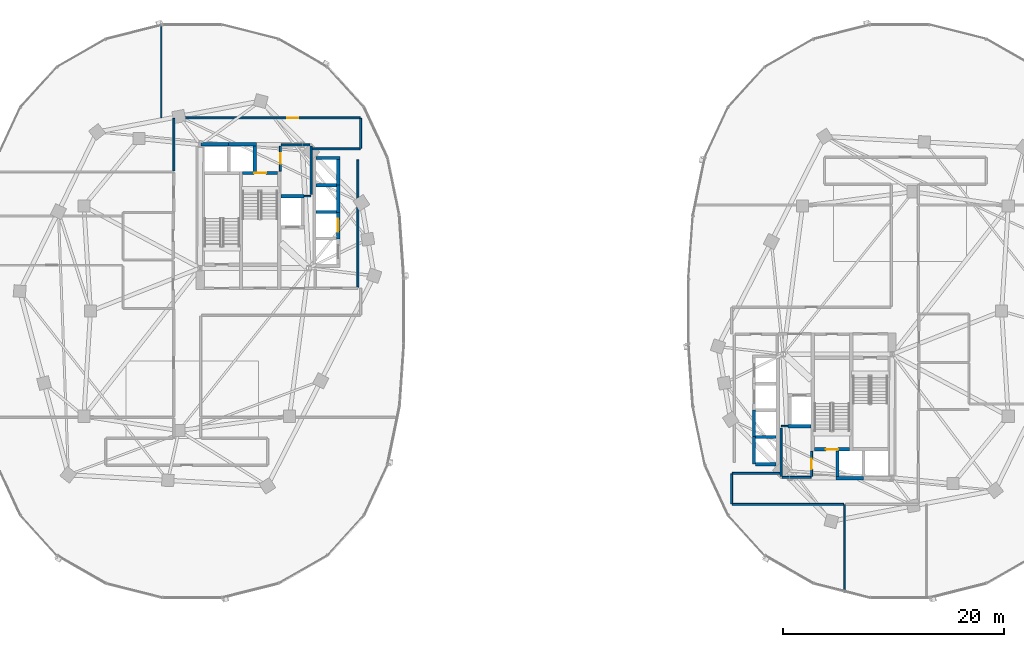
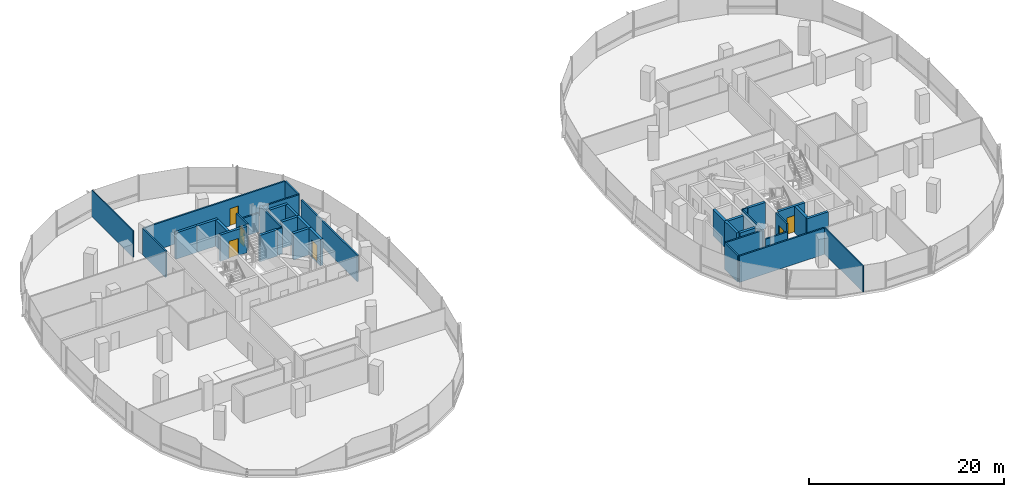
# One storey, part 12 of 21: 37 walls, 6 doors, 6 openings.
"""IFC4 building model written with IfcOpenShell, lengths in metres."""

import ifcopenshell
import ifcopenshell.guid

model = None  # the IFC model being written
_history = None  # IfcOwnerHistory: only IFC2X3 demands one
_inside = {}  # id of a spatial element -> (the spatial element, [elements in it])
_under = {}  # id of a project, library or spatial element -> (it, [spatial elements below it])
_declared = {}  # id of a project -> (the project, [libraries it declares])
_typed = {}  # id of a type object -> (the type object, [elements of that type])
_made_of = {}  # id of a material, layer set ... -> (it, [elements and type objects made of it])


def new_model(schema):
    """Start an empty IFC model of exactly this schema.

    Asked for "IFC4X3", IfcOpenShell would pick the latest addendum, in which some entities
    have other attributes; the version numbers below select the first issue.
    IFC2X3 requires an IfcOwnerHistory on every rooted entity: one is made here for all.
    """
    global model, _history
    if schema == "IFC4X3":
        model = ifcopenshell.file(schema_version=(4, 3, 0, 0))
    else:
        model = ifcopenshell.file(schema=schema)
    _inside.clear()
    _under.clear()
    _declared.clear()
    _typed.clear()
    _made_of.clear()
    _history = None
    if model.schema == "IFC2X3":
        org = make("IfcOrganization", Name="unknown")
        user = make(
            "IfcPersonAndOrganization",
            ThePerson=make("IfcPerson", FamilyName="unknown"),
            TheOrganization=org,
        )
        app = make(
            "IfcApplication",
            ApplicationDeveloper=org,
            Version="unknown",
            ApplicationFullName="unknown",
            ApplicationIdentifier="unknown",
        )
        _history = make(
            "IfcOwnerHistory",
            OwningUser=user,
            OwningApplication=app,
            ChangeAction="ADDED",
            CreationDate=0,
        )
    return model


def make(cls, **values):
    """One entity of the class cls with the attributes given. An attribute that is None is left unset."""
    return model.create_entity(
        cls, **{name: value for name, value in values.items() if value is not None}
    )


def rooted(cls, **values):
    """An entity with a GlobalId (a new one), such as an element, a storey or a relation."""
    return make(cls, GlobalId=ifcopenshell.guid.new(), OwnerHistory=_history, **values)


def si_unit(unit_type, name, prefix=None):
    """IfcSIUnit, for example si_unit("LENGTHUNIT", "METRE", prefix="MILLI")."""
    return make("IfcSIUnit", UnitType=unit_type, Prefix=prefix, Name=name)


def assignment(units):
    """IfcUnitAssignment: the units of a project."""
    return None if units is None else make("IfcUnitAssignment", Units=units)


def point(xyz):
    """IfcCartesianPoint."""
    return None if xyz is None else make("IfcCartesianPoint", Coordinates=xyz)


def direction(xyz):
    """IfcDirection."""
    return None if xyz is None else make("IfcDirection", DirectionRatios=xyz)


def frame(location, z_axis=None, x_axis=None):
    """IfcAxis2Placement3D, a coordinate frame: its origin and axes. An axis left out is left unset."""
    return make(
        "IfcAxis2Placement3D",
        Location=point(location),
        Axis=direction(z_axis),
        RefDirection=direction(x_axis),
    )


def frame_2d(location, x_axis=None):
    """IfcAxis2Placement2D, a coordinate frame in the plane: its origin and x axis."""
    return make(
        "IfcAxis2Placement2D", Location=point(location), RefDirection=direction(x_axis)
    )


def origin():
    """The frame at (0, 0, 0) with its axes left unset."""
    return frame((0.0, 0.0, 0.0))


def place(relative_to, where):
    """IfcLocalPlacement: puts the frame where relative to a parent placement (None: the world)."""
    return make(
        "IfcLocalPlacement", PlacementRelTo=relative_to, RelativePlacement=where
    )


def context(
    kind, dimensions, precision=None, world=None, true_north=None, identifier=None
):
    """IfcGeometricRepresentationContext, for example the 3D "Model" context."""
    return make(
        "IfcGeometricRepresentationContext",
        ContextIdentifier=identifier,
        ContextType=kind,
        CoordinateSpaceDimension=dimensions,
        Precision=precision,
        WorldCoordinateSystem=world,
        TrueNorth=true_north,
    )


def subcontext(parent, identifier, kind, view, scale=None):
    """IfcGeometricRepresentationSubContext, for example "Body" below "Model"."""
    return make(
        "IfcGeometricRepresentationSubContext",
        ContextIdentifier=identifier,
        ContextType=kind,
        ParentContext=parent,
        TargetScale=scale,
        TargetView=view,
    )


def project(units=None, contexts=None):
    """IfcProject with its units and contexts."""
    return rooted(
        "IfcProject",
        Name="project",
        RepresentationContexts=contexts,
        UnitsInContext=assignment(units),
    )


def spatial(cls, under=None, at=None, **own):
    """A site, building, storey or space (cls), placed at a placement, below another one or the project."""
    s = rooted(cls, ObjectPlacement=at, **own)
    if under is not None:
        _under.setdefault(under.id(), (under, []))[1].append(s)
    return s


def profile(cls, at=None, kind="AREA", **sizes):
    """A parametric profile (cls). Its sizes go by their IFC names, for example OverallWidth=200.0."""
    return make(cls, ProfileType=kind, Position=at, **sizes)


def rectangle(**sizes):
    """IfcRectangleProfileDef."""
    return profile("IfcRectangleProfileDef", **sizes)


def extrude(swept, where, along, depth):
    """IfcExtrudedAreaSolid: the profile swept, set in the frame where, extruded along a direction by depth."""
    return make(
        "IfcExtrudedAreaSolid",
        SweptArea=swept,
        Position=where,
        ExtrudedDirection=direction(along),
        Depth=depth,
    )


def shape(context_of_items, identifier, shape_type, items):
    """IfcShapeRepresentation: the items that make up one representation, for example the "Body"."""
    return make(
        "IfcShapeRepresentation",
        ContextOfItems=context_of_items,
        RepresentationIdentifier=identifier,
        RepresentationType=shape_type,
        Items=items,
    )


def material(Name=None, Category=None):
    """IfcMaterial."""
    return make("IfcMaterial", Name=Name, Category=Category)


def layer(
    of_material, thickness, ventilated=None, Name=None, Category=None, Priority=None
):
    """IfcMaterialLayer: one layer of a wall or slab, of a material (None: an air gap)."""
    return make(
        "IfcMaterialLayer",
        Material=of_material,
        LayerThickness=thickness,
        IsVentilated=ventilated,
        Name=Name,
        Category=Category,
        Priority=Priority,
    )


def layer_set(layers, Name=None):
    """IfcMaterialLayerSet."""
    return make("IfcMaterialLayerSet", MaterialLayers=layers, LayerSetName=Name)


def made_of(thing, what):
    """Note that an element or type object is made of a material, layer set ...; save() writes the relation."""
    if what is not None:
        _made_of.setdefault(what.id(), (what, []))[1].append(thing)
    return thing


def type_object(cls, material=None, **own):
    """A type object (cls), such as IfcWallType, which elements share."""
    return made_of(rooted(cls, **own), material)


def element(
    cls,
    number,
    at=None,
    inside=None,
    cuts=None,
    type_object=None,
    material=None,
    context=None,
    identifier="Body",
    shape_type=None,
    held_by="IfcProductDefinitionShape",
    body=None,
    shapes=None,
    **own,
):
    """One element of the class cls, such as IfcWall. Its Tag is "e" and its number.

    at: its placement. inside: the storey or other place that contains it. cuts: it is an
    opening in that element (IfcRelVoidsElement). A single representation is given by context,
    identifier, shape_type and body (its items); several are given by shapes. held_by: the class
    of the entity that holds the representations. save() writes the other relations.
    """
    e = rooted(cls, Tag="e%d" % number, ObjectPlacement=at, **own)
    if body is not None:
        shapes = [shape(context, identifier, shape_type, body)]
    if shapes is not None:
        e.Representation = make(held_by, Representations=shapes)
    if inside is not None:
        _inside.setdefault(inside.id(), (inside, []))[1].append(e)
    if cuts is not None:
        rooted(
            "IfcRelVoidsElement", RelatingBuildingElement=cuts, RelatedOpeningElement=e
        )
    if type_object is not None:
        _typed.setdefault(type_object.id(), (type_object, []))[1].append(e)
    return made_of(e, material)


def fill(opening, filler):
    """IfcRelFillsElement: the door or window that sits in an opening."""
    return rooted(
        "IfcRelFillsElement",
        RelatingOpeningElement=opening,
        RelatedBuildingElement=filler,
    )


def aggregate(whole, parts):
    """IfcRelAggregates: a whole, such as a stair, and the parts it consists of."""
    return rooted("IfcRelAggregates", RelatingObject=whole, RelatedObjects=parts)


def save(model, path):
    """Write the relations noted so far, then the file.

    IfcRelAggregates (storeys below a building ...), IfcRelContainedInSpatialStructure (elements
    in a storey), IfcRelDefinesByType, IfcRelAssociatesMaterial and IfcRelDeclares: one each for
    every whole, place, type object, material and project.
    """
    for whole, parts in _under.values():
        aggregate(whole, parts)
    for where, things in _inside.values():
        rooted(
            "IfcRelContainedInSpatialStructure",
            RelatedElements=things,
            RelatingStructure=where,
        )
    for kind, things in _typed.values():
        rooted("IfcRelDefinesByType", RelatedObjects=things, RelatingType=kind)
    for what, things in _made_of.values():
        rooted("IfcRelAssociatesMaterial", RelatedObjects=things, RelatingMaterial=what)
    for by, libraries in _declared.values():
        rooted("IfcRelDeclares", RelatingContext=by, RelatedDefinitions=libraries)
    model.write(path)


model = new_model("IFC4")

# Units and contexts
model_context = context("Model", 3, precision=1e-05, world=origin(), true_north=direction((0.0, 1.0)))
body_context = subcontext(model_context, "Body", "Model", "MODEL_VIEW")
ifc_project = project(units=[si_unit("LENGTHUNIT", "METRE"), si_unit("AREAUNIT", "SQUARE_METRE"), si_unit("VOLUMEUNIT", "CUBIC_METRE"), si_unit("PLANEANGLEUNIT", "RADIAN"), si_unit("MASSUNIT", "GRAM", prefix="KILO"), si_unit("THERMODYNAMICTEMPERATUREUNIT", "KELVIN"), si_unit("POWERUNIT", "WATT")], contexts=[model_context])

# Site, building, storey
site_placement = place(None, origin())
site = spatial("IfcSite", under=ifc_project, at=site_placement, CompositionType="ELEMENT")
building_placement = place(site_placement, origin())
building = spatial("IfcBuilding", under=site, at=building_placement, Name="Cundina Bronze Exchange", CompositionType="ELEMENT")
storey_placement = place(building_placement, frame((0.0, 0.0, 103.39990234375)))
storey = spatial("IfcBuildingStorey", under=building, at=storey_placement, Name="L26", CompositionType="ELEMENT", Elevation=103.39990234375)

# Walls
ifc_material_1 = material(Name="Gypsum Fireboard Partition EI120")
ifc_layer_1 = layer(ifc_material_1, 0.179931640625, Name="Gypsum Fireboard Partition EI120")
ifc_layer_set_1 = layer_set([ifc_layer_1], Name="Gypsum Fireboard Partition EI120")
wall_type_1 = type_object("IfcWallType", Name="WL-COR-180", PredefinedType="PARTITIONING", material=ifc_layer_set_1)
wall_1_placement = place(storey_placement, frame((-17.02001953125, 2.169921875, 0.0), z_axis=(0.0, 0.0, 1.0), x_axis=(0.0, 1.0, 0.0)))
element("IfcWall", 1, at=wall_1_placement, inside=storey, type_object=wall_type_1, Name="L26 Interior Partition 001", PredefinedType="PARTITIONING", context=body_context, shape_type="SweptSolid", body=[
    extrude(rectangle(XDim=11.510009765625, YDim=0.179931640625, at=frame_2d((5.7548828125, 0.0))), origin(), (0.0, 0.0, 1.0), 3.300048828125),
])
wall_2_placement = place(storey_placement, frame((-21.25, 10.570068359375, 0.0), z_axis=(0.0, 0.0, 1.0), x_axis=(0.0, 1.0, 0.0)))
element("IfcWall", 2, at=wall_2_placement, inside=storey, type_object=wall_type_1, Name="L26 Interior Partition 004", PredefinedType="PARTITIONING", context=body_context, shape_type="SweptSolid", body=[
    extrude(rectangle(XDim=4.35986328125, YDim=0.179931640625, at=frame_2d((2.179931640625, 0.0))), origin(), (0.0, 0.0, 1.0), 3.300048828125),
])
wall_3_placement = place(storey_placement, frame((-23.9599609375, 15.030029296875, 0.0), z_axis=(0.0, 0.0, 1.0), x_axis=(1.0, 0.0, 0.0)))
element("IfcWall", 3, at=wall_3_placement, inside=storey, type_object=wall_type_1, Name="L26 Interior Partition 005", PredefinedType="PARTITIONING", context=body_context, shape_type="SweptSolid", body=[
    extrude(rectangle(XDim=2.60986328125, YDim=0.179931640625, at=frame_2d((1.304931640625, 0.0))), origin(), (0.0, 0.0, 1.0), 2.373046875),
])

# Wall, opening, door
wall_4_placement = place(storey_placement, frame((-24.02001953125, 12.669921875, 0.0), z_axis=(0.0, 0.0, 1.0), x_axis=(0.0, 1.0, 0.0)))
wall_4 = element("IfcWall", 4, at=wall_4_placement, inside=storey, type_object=wall_type_1, Name="L26 Interior Partition 007", PredefinedType="PARTITIONING", context=body_context, shape_type="SweptSolid", body=[
    extrude(rectangle(XDim=2.260009765625, YDim=0.179931640625, at=frame_2d((1.1298828125, 0.0))), origin(), (0.0, 0.0, 1.0), 3.300048828125),
])
opening_1_placement = place(wall_4_placement, frame((0.655029296875, 0.0, 0.0)))
opening_1 = element("IfcOpeningElement", 5, at=opening_1_placement, cuts=wall_4, Name="Opening DW-01", PredefinedType="OPENING", context=body_context, shape_type="SweptSolid", body=[
    extrude(rectangle(XDim=0.949951171875, YDim=2.10009765625, at=frame_2d((0.47509765625, 1.050048828125))), frame((0.0, 0.099853515625, 0.0), z_axis=(0.0, -1.0, 0.0), x_axis=(1.0, 0.0, 0.0)), (0.0, 0.0, 1.0), 0.199951171875),
])
ifc_material_2 = material(Name="Solid Andean Oak Timber Grade A", Category="wood")
door_type_1 = type_object("IfcDoorType", Name="DR-WC-950", OperationType="NOTDEFINED", PredefinedType="DOOR", material=ifc_material_2)
door_1_placement = place(opening_1_placement, origin())
door_1 = element("IfcDoor", 6, at=door_1_placement, inside=storey, type_object=door_type_1, Name="L26 Interior Door 007", OperationType="SINGLE_SWING_RIGHT", OverallHeight=2.10009765625, OverallWidth=0.949951171875, PredefinedType="DOOR", context=body_context, shape_type="SweptSolid", body=[
    extrude(rectangle(XDim=0.949951171875, YDim=2.10009765625, at=frame_2d((0.47509765625, 1.050048828125))), frame((0.0, 0.02490234375, 0.0), z_axis=(0.0, -1.0, 0.0), x_axis=(1.0, 0.0, 0.0)), (0.0, 0.0, 1.0), 0.050048828125),
])
fill(opening_1, door_1)

wall_5_placement = place(storey_placement, frame((-16.821533203125, 17.469970703125, 0.0), z_axis=(0.0, 0.0, 1.0), x_axis=(-1.0, 0.0, 0.0)))
wall_5 = element("IfcWall", 7, at=wall_5_placement, inside=storey, type_object=wall_type_1, Name="L26 Interior Partition 028", PredefinedType="PARTITIONING", context=body_context, shape_type="SweptSolid", body=[
    extrude(rectangle(XDim=16.806884765625, YDim=0.179931640625, at=frame_2d((8.4033203125, 0.0))), origin(), (0.0, 0.0, 1.0), 3.300048828125),
])
opening_2_placement = place(wall_5_placement, frame((5.568603515625, 0.0, 0.0)))
opening_2 = element("IfcOpeningElement", 8, at=opening_2_placement, cuts=wall_5, Name="Opening DO-01", PredefinedType="OPENING", context=body_context, shape_type="SweptSolid", body=[
    extrude(rectangle(XDim=1.0, YDim=2.14990234375, at=frame_2d((0.5, 1.074951171875))), frame((0.0, 0.099853515625, 0.0), z_axis=(0.0, -1.0, 0.0), x_axis=(1.0, 0.0, 0.0)), (0.0, 0.0, 1.0), 0.199951171875),
])
door_type_2 = type_object("IfcDoorType", Name="DR-OFF-1000", OperationType="NOTDEFINED", PredefinedType="DOOR", material=ifc_material_2)
door_2_placement = place(opening_2_placement, origin())
door_2 = element("IfcDoor", 9, at=door_2_placement, inside=storey, type_object=door_type_2, Name="L26 Interior Door 028", OperationType="SINGLE_SWING_LEFT", OverallHeight=2.14990234375, OverallWidth=1.0, PredefinedType="DOOR", context=body_context, shape_type="SweptSolid", body=[
    extrude(rectangle(XDim=1.0, YDim=2.14990234375, at=frame_2d((0.5, 1.074951171875))), frame((0.0, 0.02490234375, 0.0), z_axis=(0.0, -1.0, 0.0), x_axis=(1.0, 0.0, 0.0)), (0.0, 0.0, 1.0), 0.050048828125),
])
fill(opening_2, door_2)

# Walls
wall_6_placement = place(storey_placement, frame((-33.669921875, 17.428466796875, 0.0), z_axis=(0.0, 0.0, 1.0), x_axis=(0.0, -1.0, 0.0)))
element("IfcWall", 10, at=wall_6_placement, inside=storey, type_object=wall_type_1, Name="L26 Interior Partition 031", PredefinedType="PARTITIONING", context=body_context, shape_type="SweptSolid", body=[
    extrude(rectangle(XDim=4.738525390625, YDim=0.179931640625, at=frame_2d((2.369140625, 0.0))), origin(), (0.0, 0.0, 1.0), 3.300048828125),
])
wall_7_placement = place(storey_placement, frame((-21.178466796875, 14.679931640625, 0.0), z_axis=(0.0, 0.0, 1.0), x_axis=(1.0, 0.0, 0.0)))
element("IfcWall", 11, at=wall_7_placement, inside=storey, type_object=wall_type_1, Name="L26 Interior Partition 032", PredefinedType="PARTITIONING", context=body_context, shape_type="SweptSolid", body=[
    extrude(rectangle(XDim=4.35693359375, YDim=0.179931640625, at=frame_2d((2.178466796875, 0.0))), origin(), (0.0, 0.0, 1.0), 3.300048828125),
])
wall_8_placement = place(storey_placement, frame((-16.780029296875, 14.721435546875, 0.0), z_axis=(0.0, 0.0, 1.0), x_axis=(0.0, 1.0, 0.0)))
element("IfcWall", 12, at=wall_8_placement, inside=storey, type_object=wall_type_1, Name="L26 Interior Partition 033", PredefinedType="PARTITIONING", context=body_context, shape_type="SweptSolid", body=[
    extrude(rectangle(XDim=2.70703125, YDim=0.179931640625, at=frame_2d((1.353515625, 0.0))), origin(), (0.0, 0.0, 1.0), 3.300048828125),
])
wall_9_placement = place(storey_placement, frame((21.25, -14.929931640625, 0.0), z_axis=(0.0, 0.0, 1.0), x_axis=(0.0, 1.0, 0.0)))
element("IfcWall", 13, at=wall_9_placement, inside=storey, type_object=wall_type_1, Name="L26 Interior Partition 040", PredefinedType="PARTITIONING", context=body_context, shape_type="SweptSolid", body=[
    extrude(rectangle(XDim=4.35986328125, YDim=0.179931640625, at=frame_2d((2.179931640625, 0.0))), origin(), (0.0, 0.0, 1.0), 3.300048828125),
])
wall_10_placement = place(storey_placement, frame((21.35009765625, -15.030029296875, 0.0), z_axis=(0.0, 0.0, 1.0), x_axis=(1.0, 0.0, 0.0)))
element("IfcWall", 14, at=wall_10_placement, inside=storey, type_object=wall_type_1, Name="L26 Interior Partition 041", PredefinedType="PARTITIONING", context=body_context, shape_type="SweptSolid", body=[
    extrude(rectangle(XDim=2.60986328125, YDim=0.179931640625, at=frame_2d((1.304931640625, 0.0))), origin(), (0.0, 0.0, 1.0), 2.373046875),
])

# Wall, opening, door
wall_11_placement = place(storey_placement, frame((24.02001953125, -14.929931640625, 0.0), z_axis=(0.0, 0.0, 1.0), x_axis=(0.0, 1.0, 0.0)))
wall_11 = element("IfcWall", 15, at=wall_11_placement, inside=storey, type_object=wall_type_1, Name="L26 Interior Partition 043", PredefinedType="PARTITIONING", context=body_context, shape_type="SweptSolid", body=[
    extrude(rectangle(XDim=2.260009765625, YDim=0.179931640625, at=frame_2d((1.1298828125, 0.0))), origin(), (0.0, 0.0, 1.0), 3.300048828125),
])
opening_3_placement = place(wall_11_placement, frame((0.655029296875, 0.0, 0.0)))
opening_3 = element("IfcOpeningElement", 16, at=opening_3_placement, cuts=wall_11, Name="Opening DW-01", PredefinedType="OPENING", context=body_context, shape_type="SweptSolid", body=[
    extrude(rectangle(XDim=0.949951171875, YDim=2.10009765625, at=frame_2d((0.47509765625, 1.050048828125))), frame((0.0, 0.099853515625, 0.0), z_axis=(0.0, -1.0, 0.0), x_axis=(1.0, 0.0, 0.0)), (0.0, 0.0, 1.0), 0.199951171875),
])
door_3_placement = place(opening_3_placement, origin())
door_3 = element("IfcDoor", 17, at=door_3_placement, inside=storey, type_object=door_type_1, Name="L26 Interior Door 043", OperationType="SINGLE_SWING_LEFT", OverallHeight=2.10009765625, OverallWidth=0.949951171875, PredefinedType="DOOR", context=body_context, shape_type="SweptSolid", body=[
    extrude(rectangle(XDim=0.949951171875, YDim=2.10009765625, at=frame_2d((0.47509765625, 1.050048828125))), frame((0.0, 0.02490234375, 0.0), z_axis=(0.0, -1.0, 0.0), x_axis=(1.0, 0.0, 0.0)), (0.0, 0.0, 1.0), 0.050048828125),
])
fill(opening_3, door_3)

# Walls
wall_12_placement = place(storey_placement, frame((16.821533203125, -17.469970703125, 0.0), z_axis=(0.0, 0.0, 1.0), x_axis=(1.0, 0.0, 0.0)))
element("IfcWall", 18, at=wall_12_placement, inside=storey, type_object=wall_type_1, Name="L26 Interior Partition 059", PredefinedType="PARTITIONING", context=body_context, shape_type="SweptSolid", body=[
    extrude(rectangle(XDim=10.08837890625, YDim=0.179931640625, at=frame_2d((5.044189453125, 0.0))), origin(), (0.0, 0.0, 1.0), 3.300048828125),
])
wall_13_placement = place(storey_placement, frame((21.178466796875, -14.679931640625, 0.0), z_axis=(0.0, 0.0, 1.0), x_axis=(-1.0, 0.0, 0.0)))
element("IfcWall", 19, at=wall_13_placement, inside=storey, type_object=wall_type_1, Name="L26 Interior Partition 061", PredefinedType="PARTITIONING", context=body_context, shape_type="SweptSolid", body=[
    extrude(rectangle(XDim=4.35693359375, YDim=0.179931640625, at=frame_2d((2.178466796875, 0.0))), origin(), (0.0, 0.0, 1.0), 3.300048828125),
])
wall_14_placement = place(storey_placement, frame((16.780029296875, -14.721435546875, 0.0), z_axis=(0.0, 0.0, 1.0), x_axis=(0.0, -1.0, 0.0)))
element("IfcWall", 20, at=wall_14_placement, inside=storey, type_object=wall_type_1, Name="L26 Interior Partition 062", PredefinedType="PARTITIONING", context=body_context, shape_type="SweptSolid", body=[
    extrude(rectangle(XDim=2.70703125, YDim=0.179931640625, at=frame_2d((1.353515625, 0.0))), origin(), (0.0, 0.0, 1.0), 3.300048828125),
])
ifc_material_3 = material(Name="Gypsum Acoustic Partition EI60")
ifc_layer_2 = layer(ifc_material_3, 0.125, Name="Gypsum Acoustic Partition EI60")
ifc_layer_set_2 = layer_set([ifc_layer_2], Name="Gypsum Acoustic Partition EI60")
wall_type_2 = type_object("IfcWallType", Name="WL-OFF-125", PredefinedType="PARTITIONING", material=ifc_layer_set_2)
wall_15_placement = place(storey_placement, frame((-34.800048828125, 17.469970703125, 0.0), z_axis=(0.0, 0.0, 1.0), x_axis=(0.0, 1.0, 0.0)))
element("IfcWall", 21, at=wall_15_placement, inside=storey, type_object=wall_type_2, Name="L26 Interior Partition 019", PredefinedType="PARTITIONING", context=body_context, shape_type="SweptSolid", body=[
    extrude(rectangle(XDim=8.490478515625, YDim=0.125, at=frame_2d((4.2451171875, 0.0))), origin(), (0.0, 0.0, 1.0), 3.300048828125),
])
wall_16_placement = place(storey_placement, frame((27.0, -25.404296875, 0.0), z_axis=(0.0, 0.0, 1.0), x_axis=(0.0, 1.0, 0.0)))
element("IfcWall", 22, at=wall_16_placement, inside=storey, type_object=wall_type_2, Name="L26 Interior Partition 054", PredefinedType="PARTITIONING", context=body_context, shape_type="SweptSolid", body=[
    extrude(rectangle(XDim=7.904296875, YDim=0.125, at=frame_2d((3.9521484375, 0.0))), origin(), (0.0, 0.0, 1.0), 3.300048828125),
])

# Wall, opening, door
ifc_material_4 = material(Name="Concrete C50/60", Category="concrete")
ifc_layer_3 = layer(ifc_material_4, 0.300048828125, Name="Concrete C50/60", Category="concrete")
ifc_layer_set_3 = layer_set([ifc_layer_3], Name="Concrete C50/60")
wall_type_3 = type_object("IfcWallType", Name="WL-SHFT-300", PredefinedType="SHEAR", material=ifc_layer_set_3)
wall_17_placement = place(storey_placement, frame((-27.43994140625, 12.5, 0.0), z_axis=(0.0, 0.0, 1.0), x_axis=(1.0, 0.0, 0.0)))
wall_17 = element("IfcWall", 23, at=wall_17_placement, inside=storey, type_object=wall_type_3, Name="L26 Stair W2 Landing Wall", PredefinedType="SHEAR", context=body_context, shape_type="SweptSolid", body=[
    extrude(rectangle(XDim=3.159912109375, YDim=0.300048828125, at=frame_2d((1.580078125, 0.0))), origin(), (0.0, 0.0, 1.0), 3.300048828125),
])
opening_4_placement = place(wall_17_placement, frame((1.030029296875, 0.0, 0.0)))
opening_4 = element("IfcOpeningElement", 24, at=opening_4_placement, cuts=wall_17, Name="Opening DS-01", PredefinedType="OPENING", context=body_context, shape_type="SweptSolid", body=[
    extrude(rectangle(XDim=1.10009765625, YDim=2.14990234375, at=frame_2d((0.550048828125, 1.074951171875))), frame((0.0, 0.159912109375, 0.0), z_axis=(0.0, -1.0, 0.0), x_axis=(1.0, 0.0, 0.0)), (0.0, 0.0, 1.0), 0.320068359375),
])
ifc_material_5 = material(Name="Steel ASTM A36 Painted", Category="steel")
door_type_3 = type_object("IfcDoorType", Name="DR-STR-1100", OperationType="NOTDEFINED", PredefinedType="DOOR", material=ifc_material_5)
door_4_placement = place(opening_4_placement, origin())
door_4 = element("IfcDoor", 25, at=door_4_placement, inside=storey, type_object=door_type_3, Name="L26 Smokeproof Stair W2 Door", OperationType="SINGLE_SWING_LEFT", OverallHeight=2.14990234375, OverallWidth=1.10009765625, PredefinedType="DOOR", context=body_context, shape_type="SweptSolid", body=[
    extrude(rectangle(XDim=1.10009765625, YDim=2.14990234375, at=frame_2d((0.550048828125, 1.074951171875))), frame((0.0, 0.02490234375, 0.0), z_axis=(0.0, -1.0, 0.0), x_axis=(1.0, 0.0, 0.0)), (0.0, 0.0, 1.0), 0.050048828125),
])
fill(opening_4, door_4)

# Walls
wall_18_placement = place(storey_placement, frame((-23.97998046875, 10.39990234375, 0.0), z_axis=(0.0, 0.0, 1.0), x_axis=(1.0, 0.0, 0.0)))
element("IfcWall", 26, at=wall_18_placement, inside=storey, type_object=wall_type_3, Name="L26 FFL-W Hoistway Back Wall", PredefinedType="SHEAR", context=body_context, shape_type="SweptSolid", body=[
    extrude(rectangle(XDim=2.10009765625, YDim=0.300048828125, at=frame_2d((1.050048828125, 0.0))), origin(), (0.0, 0.0, 1.0), 3.300048828125),
])
for number, where, z_axis, x_axis, name in (
    (27, (-31.199951171875, 15.10009765625, 0.0), (0.0, 0.0, 1.0), (1.0, 0.0, 0.0), "L26 PH-W1 Hoistway Front Wall"),
    (28, (-28.699951171875, 15.10009765625, 0.0), (0.0, 0.0, 1.0), (1.0, 0.0, 0.0), "L26 PH-W2 Hoistway Front Wall"),
):
    element("IfcWall", number, at=place(storey_placement, frame(where, z_axis=z_axis, x_axis=x_axis)), inside=storey, type_object=wall_type_3, Name=name, PredefinedType="SHEAR", context=body_context, shape_type="SweptSolid", body=[
        extrude(rectangle(XDim=2.5, YDim=0.300048828125, at=frame_2d((1.25, 0.0))), origin(), (0.0, 0.0, 1.0), 3.300048828125),
    ])
wall_19_placement = place(storey_placement, frame((-26.35009765625, 12.64990234375, 0.0), z_axis=(0.0, 0.0, 1.0), x_axis=(0.0, 1.0, 0.0)))
element("IfcWall", 29, at=wall_19_placement, inside=storey, type_object=wall_type_3, Name="L26 PH-W2 Hoistway Divider Wall", PredefinedType="SHEAR", context=body_context, shape_type="SweptSolid", body=[
    extrude(rectangle(XDim=2.300048828125, YDim=0.300048828125, at=frame_2d((1.14990234375, 0.0))), origin(), (0.0, 0.0, 1.0), 3.300048828125),
])
wall_20_placement = place(storey_placement, frame((-20.800048828125, 13.85009765625, 0.0), z_axis=(0.0, 0.0, 1.0), x_axis=(1.0, 0.0, 0.0)))
element("IfcWall", 30, at=wall_20_placement, inside=storey, type_object=wall_type_3, Name="L26 W Passenger Bank North Cap Wall", PredefinedType="SHEAR", context=body_context, shape_type="SweptSolid", body=[
    extrude(rectangle(XDim=2.150146484375, YDim=0.300048828125, at=frame_2d((1.0751953125, 0.0))), origin(), (0.0, 0.0, 1.0), 3.300048828125),
])
for number, where, z_axis, x_axis, name in (
    (31, (-20.800048828125, 8.97509765625, 0.0), (0.0, 0.0, 1.0), (1.0, 0.0, 0.0), "L26 W Passenger Hoistway Divider 2"),
    (32, (-20.800048828125, 11.375, 0.0), (0.0, 0.0, 1.0), (1.0, 0.0, 0.0), "L26 W Passenger Hoistway Divider 3"),
):
    element("IfcWall", number, at=place(storey_placement, frame(where, z_axis=z_axis, x_axis=x_axis)), inside=storey, type_object=wall_type_3, Name=name, PredefinedType="SHEAR", context=body_context, shape_type="SweptSolid", body=[
        extrude(rectangle(XDim=1.85009765625, YDim=0.300048828125, at=frame_2d((0.925048828125, 0.0))), origin(), (0.0, 0.0, 1.0), 3.300048828125),
    ])

# Wall, opening, door
wall_21_placement = place(storey_placement, frame((-18.800048828125, 6.530029296875, 0.0), z_axis=(0.0, 0.0, 1.0), x_axis=(0.0, 1.0, 0.0)))
wall_21 = element("IfcWall", 33, at=wall_21_placement, inside=storey, type_object=wall_type_3, Name="L26 PL-W1 Hoistway Front Wall", PredefinedType="SHEAR", context=body_context, shape_type="SweptSolid", body=[
    extrude(rectangle(XDim=2.489990234375, YDim=0.300048828125, at=frame_2d((1.2451171875, 0.0))), origin(), (0.0, 0.0, 1.0), 3.300048828125),
])
opening_5_placement = place(wall_21_placement, frame((0.669921875, 0.0, 0.0)))
opening_5 = element("IfcOpeningElement", 34, at=opening_5_placement, cuts=wall_21, Name="Opening LD-01", PredefinedType="OPENING", context=body_context, shape_type="SweptSolid", body=[
    extrude(rectangle(XDim=1.14990234375, YDim=2.199951171875, at=frame_2d((0.574951171875, 1.10009765625))), frame((0.0, 0.159912109375, 0.0), z_axis=(0.0, -1.0, 0.0), x_axis=(1.0, 0.0, 0.0)), (0.0, 0.0, 1.0), 0.320068359375),
])
door_type_4 = type_object("IfcDoorType", Name="DR-LND-1150", OperationType="NOTDEFINED", PredefinedType="TRAPDOOR", material=ifc_material_5)
door_5_placement = place(opening_5_placement, origin())
door_5 = element("IfcDoor", 35, at=door_5_placement, inside=storey, type_object=door_type_4, Name="L26 PL-W1 Sliding Landing Door", OperationType="SLIDING_TO_LEFT", OverallHeight=2.199951171875, OverallWidth=1.14990234375, PredefinedType="TRAPDOOR", context=body_context, shape_type="SweptSolid", body=[
    extrude(rectangle(XDim=1.14990234375, YDim=2.199951171875, at=frame_2d((0.574951171875, 1.10009765625))), frame((0.0, 0.02490234375, 0.0), z_axis=(0.0, -1.0, 0.0), x_axis=(1.0, 0.0, 0.0)), (0.0, 0.0, 1.0), 0.050048828125),
])
fill(opening_5, door_5)

# Walls
for number, where, z_axis, x_axis, name in (
    (36, (-18.800048828125, 8.929931640625, 0.0), (0.0, 0.0, 1.0), (0.0, 1.0, 0.0), "L26 PM-W2 Hoistway Front Wall"),
    (37, (-18.800048828125, 11.330078125, 0.0), (0.0, 0.0, 1.0), (0.0, 1.0, 0.0), "L26 PM-W1 Hoistway Front Wall"),
):
    element("IfcWall", number, at=place(storey_placement, frame(where, z_axis=z_axis, x_axis=x_axis)), inside=storey, type_object=wall_type_3, Name=name, PredefinedType="SHEAR", context=body_context, shape_type="SweptSolid", body=[
        extrude(rectangle(XDim=2.489990234375, YDim=0.300048828125, at=frame_2d((1.2451171875, 0.0))), origin(), (0.0, 0.0, 1.0), 3.300048828125),
    ])

# Wall, opening, door
wall_22_placement = place(storey_placement, frame((24.280029296875, -12.5, 0.0), z_axis=(0.0, 0.0, 1.0), x_axis=(1.0, 0.0, 0.0)))
wall_22 = element("IfcWall", 38, at=wall_22_placement, inside=storey, type_object=wall_type_3, Name="L26 Stair E2 Landing Wall", PredefinedType="SHEAR", context=body_context, shape_type="SweptSolid", body=[
    extrude(rectangle(XDim=3.159912109375, YDim=0.300048828125, at=frame_2d((1.580078125, 0.0))), origin(), (0.0, 0.0, 1.0), 3.300048828125),
])
opening_6_placement = place(wall_22_placement, frame((1.030029296875, 0.0, 0.0)))
opening_6 = element("IfcOpeningElement", 39, at=opening_6_placement, cuts=wall_22, Name="Opening DS-01", PredefinedType="OPENING", context=body_context, shape_type="SweptSolid", body=[
    extrude(rectangle(XDim=1.10009765625, YDim=2.14990234375, at=frame_2d((0.550048828125, 1.074951171875))), frame((0.0, 0.159912109375, 0.0), z_axis=(0.0, -1.0, 0.0), x_axis=(1.0, 0.0, 0.0)), (0.0, 0.0, 1.0), 0.320068359375),
])
door_6_placement = place(opening_6_placement, origin())
door_6 = element("IfcDoor", 40, at=door_6_placement, inside=storey, type_object=door_type_3, Name="L26 Smokeproof Stair E2 Door", OperationType="SINGLE_SWING_RIGHT", OverallHeight=2.14990234375, OverallWidth=1.10009765625, PredefinedType="DOOR", context=body_context, shape_type="SweptSolid", body=[
    extrude(rectangle(XDim=1.10009765625, YDim=2.14990234375, at=frame_2d((0.550048828125, 1.074951171875))), frame((0.0, 0.02490234375, 0.0), z_axis=(0.0, -1.0, 0.0), x_axis=(1.0, 0.0, 0.0)), (0.0, 0.0, 1.0), 0.050048828125),
])
fill(opening_6, door_6)

# Walls
wall_23_placement = place(storey_placement, frame((21.8798828125, -10.39990234375, 0.0), z_axis=(0.0, 0.0, 1.0), x_axis=(1.0, 0.0, 0.0)))
element("IfcWall", 41, at=wall_23_placement, inside=storey, type_object=wall_type_3, Name="L26 FFL-E Hoistway Back Wall", PredefinedType="SHEAR", context=body_context, shape_type="SweptSolid", body=[
    extrude(rectangle(XDim=2.10009765625, YDim=0.300048828125, at=frame_2d((1.050048828125, 0.0))), origin(), (0.0, 0.0, 1.0), 3.300048828125),
])
wall_24_placement = place(storey_placement, frame((26.199951171875, -15.10009765625, 0.0), z_axis=(0.0, 0.0, 1.0), x_axis=(1.0, 0.0, 0.0)))
element("IfcWall", 42, at=wall_24_placement, inside=storey, type_object=wall_type_3, Name="L26 PH-E2 Hoistway Front Wall", PredefinedType="SHEAR", context=body_context, shape_type="SweptSolid", body=[
    extrude(rectangle(XDim=2.5, YDim=0.300048828125, at=frame_2d((1.25, 0.0))), origin(), (0.0, 0.0, 1.0), 3.300048828125),
])
wall_25_placement = place(storey_placement, frame((26.35009765625, -14.949951171875, 0.0), z_axis=(0.0, 0.0, 1.0), x_axis=(0.0, 1.0, 0.0)))
element("IfcWall", 43, at=wall_25_placement, inside=storey, type_object=wall_type_3, Name="L26 PH-E2 Hoistway Divider Wall", PredefinedType="SHEAR", context=body_context, shape_type="SweptSolid", body=[
    extrude(rectangle(XDim=2.300048828125, YDim=0.300048828125, at=frame_2d((1.14990234375, 0.0))), origin(), (0.0, 0.0, 1.0), 3.300048828125),
])
for number, where, z_axis, x_axis, name in (
    (44, (18.949951171875, -13.85009765625, 0.0), (0.0, 0.0, 1.0), (1.0, 0.0, 0.0), "L26 E Passenger Bank South Cap Wall"),
    (45, (18.949951171875, -11.375, 0.0), (0.0, 0.0, 1.0), (1.0, 0.0, 0.0), "L26 E Passenger Hoistway Divider 1"),
):
    element("IfcWall", number, at=place(storey_placement, frame(where, z_axis=z_axis, x_axis=x_axis)), inside=storey, type_object=wall_type_3, Name=name, PredefinedType="SHEAR", context=body_context, shape_type="SweptSolid", body=[
        extrude(rectangle(XDim=1.85009765625, YDim=0.300048828125, at=frame_2d((0.925048828125, 0.0))), origin(), (0.0, 0.0, 1.0), 3.300048828125),
    ])
for number, where, z_axis, x_axis, name in (
    (46, (18.800048828125, -13.820068359375, 0.0), (0.0, 0.0, 1.0), (0.0, 1.0, 0.0), "L26 PM-E1 Hoistway Front Wall"),
    (47, (18.800048828125, -11.419921875, 0.0), (0.0, 0.0, 1.0), (0.0, 1.0, 0.0), "L26 PM-E2 Hoistway Front Wall"),
):
    element("IfcWall", number, at=place(storey_placement, frame(where, z_axis=z_axis, x_axis=x_axis)), inside=storey, type_object=wall_type_3, Name=name, PredefinedType="SHEAR", context=body_context, shape_type="SweptSolid", body=[
        extrude(rectangle(XDim=2.489990234375, YDim=0.300048828125, at=frame_2d((1.2451171875, 0.0))), origin(), (0.0, 0.0, 1.0), 3.300048828125),
    ])
ifc_material_6 = material(Name="Moisture-Resistant Masonry Block Grade M15", Category="masonry")
ifc_layer_4 = layer(ifc_material_6, 0.139892578125, Name="Moisture-Resistant Masonry Block Grade M15", Category="masonry")
ifc_layer_set_4 = layer_set([ifc_layer_4], Name="Moisture-Resistant Masonry Block Grade M15")
wall_type_4 = type_object("IfcWallType", Name="WL-WET-140", PredefinedType="PARTITIONING", material=ifc_layer_set_4)
for number, where, z_axis, x_axis, name in (
    (48, (-21.860107421875, 10.39990234375, 0.0), (0.0, 0.0, 1.0), (1.0, 0.0, 0.0), "L26 Interior Partition 003"),
    (49, (21.27001953125, -10.39990234375, 0.0), (0.0, 0.0, 1.0), (1.0, 0.0, 0.0), "L26 Interior Partition 039"),
):
    element("IfcWall", number, at=place(storey_placement, frame(where, z_axis=z_axis, x_axis=x_axis)), inside=storey, type_object=wall_type_4, Name=name, PredefinedType="PARTITIONING", context=body_context, shape_type="SweptSolid", body=[
        extrude(rectangle(XDim=0.590087890625, YDim=0.139892578125, at=frame_2d((0.294921875, 0.0))), origin(), (0.0, 0.0, 1.0), 3.300048828125),
    ])

save(model, "model.ifc")
